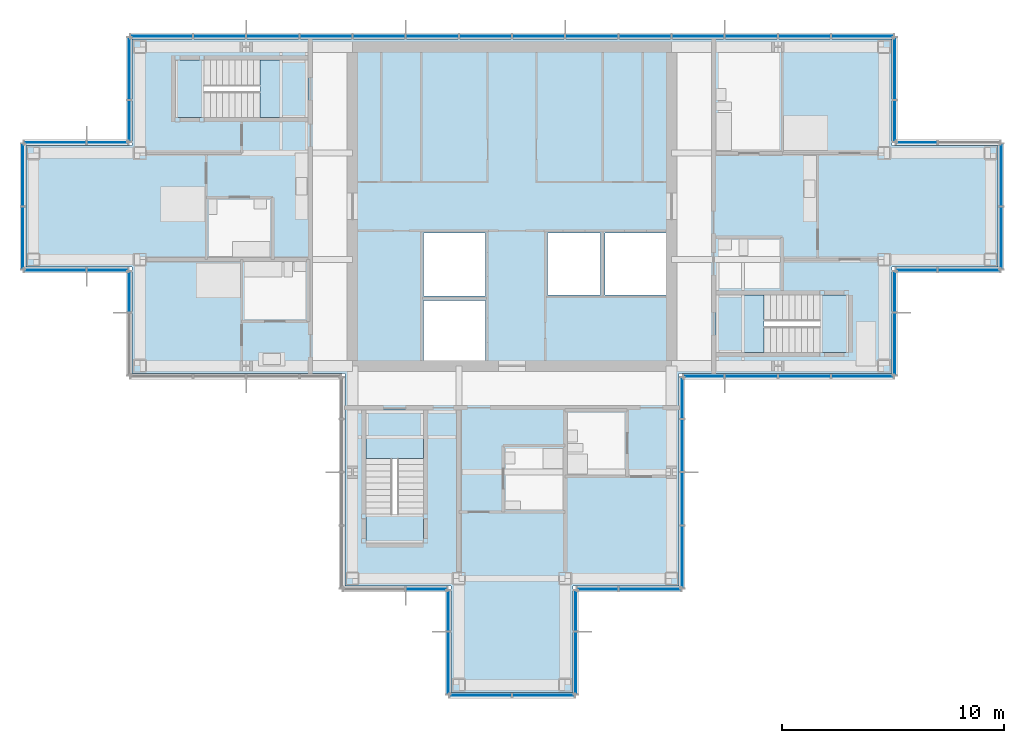
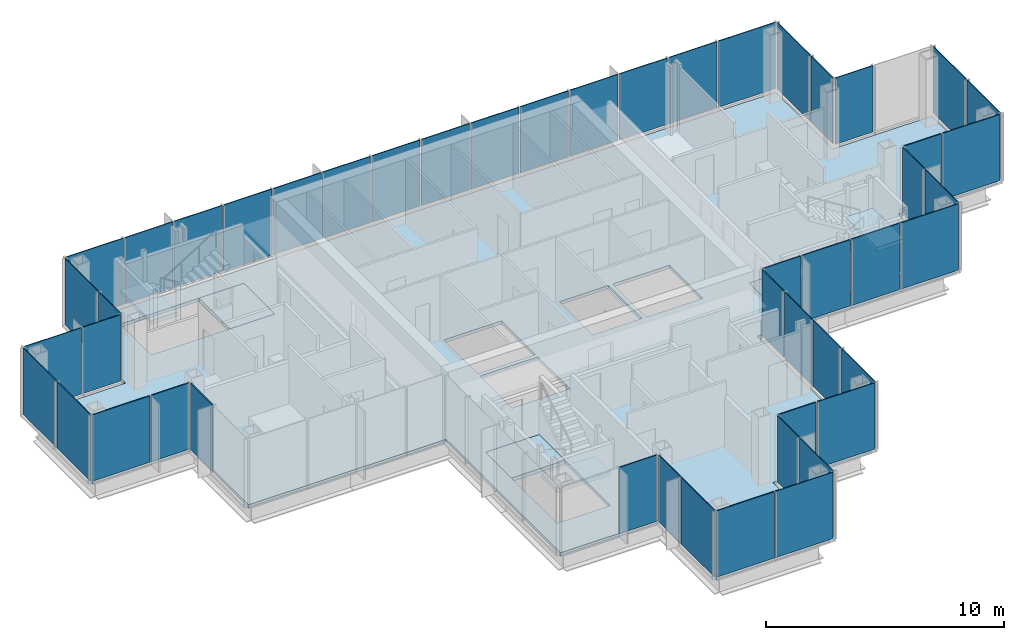
# One storey, part 9 of 15: 49 plates, 7 slabs, 21 elements without a shape of their own.
"""IFC4 building model written with IfcOpenShell, lengths in metres."""

from ifc_helpers import new_model, si_unit, direction, frame, origin, origin_2d, place, context, subcontext, project, spatial, polyline, rectangle, outline, extrude, material, layer, layer_set, type_object, element, aggregate, save


model = new_model("IFC4")

# Units and contexts
model_context = context("Model", 3, precision=1e-05, world=origin(), true_north=direction((0.0, 1.0)))
body_context = subcontext(model_context, "Body", "Model", "MODEL_VIEW")
ifc_project = project(units=[si_unit("LENGTHUNIT", "METRE"), si_unit("AREAUNIT", "SQUARE_METRE"), si_unit("VOLUMEUNIT", "CUBIC_METRE"), si_unit("PLANEANGLEUNIT", "RADIAN"), si_unit("MASSUNIT", "GRAM", prefix="KILO")], contexts=[model_context])

# Site, building, storey
site_placement = place(None, origin())
site = spatial("IfcSite", under=ifc_project, at=site_placement, CompositionType="ELEMENT")
building_placement = place(site_placement, origin())
building = spatial("IfcBuilding", under=site, at=building_placement, Name="Kvirike Care Tower", CompositionType="ELEMENT")
storey_placement = place(building_placement, frame((0.0, 0.0, 205.0)))
storey = spatial("IfcBuildingStorey", under=building, at=storey_placement, Name="L56", CompositionType="ELEMENT", Elevation=205.0)

# Slab
ifc_material_1 = material(Name="Concrete C35/45", Category="concrete")
ifc_layer_1 = layer(ifc_material_1, 0.169921875)
ifc_layer_set_1 = layer_set([ifc_layer_1], Name="FLOOR SLAB 170")
slab_type_1 = type_object("IfcSlabType", Name="FLOOR SLAB 170", PredefinedType="FLOOR", material=ifc_layer_set_1)
slab_1_placement = place(storey_placement, frame((0.0, 0.0, -0.169921875)))
element("IfcSlab", 1, at=slab_1_placement, inside=storey, type_object=slab_type_1, Name="Floor slab L56", PredefinedType="FLOOR", context=body_context, shape_type="SweptSolid", body=[
    extrude(outline(polyline([(29.14990234375, 28.449951171875), (38.75, 28.449951171875), (38.75, 33.25), (43.550048828125, 33.25), (43.550048828125, 38.75), (38.75, 38.75), (38.75, 43.550048828125), (4.449951171875, 43.550048828125), (4.449951171875, 38.75), (-0.35009765625, 38.75), (-0.35009765625, 33.25), (4.449951171875, 33.25), (4.449951171875, 28.449951171875), (14.050048828125, 28.449951171875), (14.050048828125, 18.85009765625), (18.85009765625, 18.85009765625), (18.85009765625, 14.050048828125), (24.35009765625, 14.050048828125), (24.35009765625, 18.85009765625), (29.14990234375, 18.85009765625), (29.14990234375, 28.449951171875)]), holes=[polyline([(17.60009765625, 29.050048828125), (17.60009765625, 31.75), (20.39990234375, 31.75), (20.39990234375, 29.050048828125), (17.60009765625, 29.050048828125)]), polyline([(17.60009765625, 31.949951171875), (17.60009765625, 34.800048828125), (20.39990234375, 34.800048828125), (20.39990234375, 31.949951171875), (17.60009765625, 31.949951171875)]), polyline([(23.199951171875, 32.0), (23.199951171875, 34.800048828125), (25.60009765625, 34.800048828125), (25.60009765625, 32.0), (23.199951171875, 32.0)]), polyline([(25.800048828125, 32.0), (25.800048828125, 34.800048828125), (28.550048828125, 34.800048828125), (28.550048828125, 32.0), (25.800048828125, 32.0)]), polyline([(12.39990234375, 42.60009765625), (12.39990234375, 40.0), (6.39990234375, 40.0), (6.39990234375, 42.60009765625), (12.39990234375, 42.60009765625)]), polyline([(30.800048828125, 29.39990234375), (30.800048828125, 32.0), (36.800048828125, 32.0), (36.800048828125, 29.39990234375), (30.800048828125, 29.39990234375)]), polyline([(15.0, 26.800048828125), (17.60009765625, 26.800048828125), (17.60009765625, 20.800048828125), (15.0, 20.800048828125), (15.0, 26.800048828125)])]), origin(), (0.0, 0.0, 1.0), 0.169921875),
])

# Stair, slabs
ifc_material_2 = material(Name="Concrete C35/45", Category="concrete")
stair_type = type_object("IfcStairType", Name="STAIR 20 RISERS", PredefinedType="HALF_TURN_STAIR", material=ifc_material_2)
stair_1_placement = place(storey_placement, origin())
stair_1 = element("IfcStair", 2, at=stair_1_placement, inside=storey, type_object=stair_type, Name="Stair 1 L56", PredefinedType="HALF_TURN_STAIR")
ifc_material_3 = material(Name="Concrete C35/45", Category="concrete")
ifc_layer_2 = layer(ifc_material_3, 0.199951171875)
ifc_layer_set_2 = layer_set([ifc_layer_2], Name="STAIR LANDING 200")
slab_type_2 = type_object("IfcSlabType", Name="STAIR LANDING 200", PredefinedType="LANDING", material=ifc_layer_set_2)
slab_2_placement = place(storey_placement, frame((0.0, 0.0, -0.199951171875)))
slab_2 = element("IfcSlab", 3, at=slab_2_placement, type_object=slab_type_2, Name="Stair S1 floor landing L56", PredefinedType="LANDING", context=body_context, shape_type="SweptSolid", body=[
    extrude(outline(polyline([(10.219970703125, 42.60009765625), (10.219970703125, 40.0), (12.39990234375, 40.0), (12.39990234375, 42.60009765625), (10.219970703125, 42.60009765625)])), origin(), (0.0, 0.0, 1.0), 0.199951171875),
])
slab_3_placement = place(storey_placement, frame((0.0, 0.0, 1.550048828125)))
slab_3 = element("IfcSlab", 4, at=slab_3_placement, type_object=slab_type_2, Name="Stair S1 half landing L56-L57", PredefinedType="LANDING", context=body_context, shape_type="SweptSolid", body=[
    extrude(outline(polyline([(6.39990234375, 42.60009765625), (6.39990234375, 40.0), (7.699951171875, 40.0), (7.699951171875, 42.60009765625), (6.39990234375, 42.60009765625)])), origin(), (0.0, 0.0, 1.0), 0.199951171875),
])
aggregate(stair_1, [slab_2, slab_3])

stair_2_placement = place(storey_placement, origin())
stair_2 = element("IfcStair", 5, at=stair_2_placement, inside=storey, type_object=stair_type, Name="Stair 2 L56", PredefinedType="HALF_TURN_STAIR")
slab_4_placement = place(storey_placement, frame((0.0, 0.0, -0.199951171875)))
slab_4 = element("IfcSlab", 6, at=slab_4_placement, type_object=slab_type_2, Name="Stair S2 floor landing L56", PredefinedType="LANDING", context=body_context, shape_type="SweptSolid", body=[
    extrude(outline(polyline([(32.97998046875, 29.39990234375), (32.97998046875, 32.0), (30.800048828125, 32.0), (30.800048828125, 29.39990234375), (32.97998046875, 29.39990234375)])), origin(), (0.0, 0.0, 1.0), 0.199951171875),
])
slab_5_placement = place(storey_placement, frame((0.0, 0.0, 1.550048828125)))
slab_5 = element("IfcSlab", 7, at=slab_5_placement, type_object=slab_type_2, Name="Stair S2 half landing L56-L57", PredefinedType="LANDING", context=body_context, shape_type="SweptSolid", body=[
    extrude(outline(polyline([(36.800048828125, 29.39990234375), (36.800048828125, 32.0), (35.5, 32.0), (35.5, 29.39990234375), (36.800048828125, 29.39990234375)])), origin(), (0.0, 0.0, 1.0), 0.199951171875),
])
aggregate(stair_2, [slab_4, slab_5])

stair_3_placement = place(storey_placement, origin())
stair_3 = element("IfcStair", 8, at=stair_3_placement, inside=storey, type_object=stair_type, Name="Stair 5 L56", PredefinedType="HALF_TURN_STAIR")
slab_6_placement = place(storey_placement, frame((0.0, 0.0, -0.199951171875)))
slab_6 = element("IfcSlab", 9, at=slab_6_placement, type_object=slab_type_2, Name="Stair S5 floor landing L56", PredefinedType="LANDING", context=body_context, shape_type="SweptSolid", body=[
    extrude(outline(polyline([(15.0, 24.6201171875), (17.60009765625, 24.6201171875), (17.60009765625, 26.800048828125), (15.0, 26.800048828125), (15.0, 24.6201171875)])), origin(), (0.0, 0.0, 1.0), 0.199951171875),
])
slab_7_placement = place(storey_placement, frame((0.0, 0.0, 1.550048828125)))
slab_7 = element("IfcSlab", 10, at=slab_7_placement, type_object=slab_type_2, Name="Stair S5 half landing L56-L57", PredefinedType="LANDING", context=body_context, shape_type="SweptSolid", body=[
    extrude(outline(polyline([(15.0, 20.800048828125), (17.60009765625, 20.800048828125), (17.60009765625, 22.10009765625), (15.0, 22.10009765625), (15.0, 20.800048828125)])), origin(), (0.0, 0.0, 1.0), 0.199951171875),
])
aggregate(stair_3, [slab_6, slab_7])

# Curtain wall, plates
ifc_material_4 = material(Name="Anodised aluminium stick system", Category="aluminium")
curtain_wall_type = type_object("IfcCurtainWallType", Name="CW-D STICK CURTAIN WALL", PredefinedType="NOTDEFINED", material=ifc_material_4)
curtain_wall_1_placement = place(storey_placement, origin())
curtain_wall_1 = element("IfcCurtainWall", 11, at=curtain_wall_1_placement, inside=storey, type_object=curtain_wall_type, Name="Curtain wall L56 face 1", PredefinedType="NOTDEFINED")
ifc_material_5 = material(Name="Tinted double glazed unit", Category="glass")
ifc_layer_3 = layer(ifc_material_5, 0.0439453125)
ifc_layer_set_3 = layer_set([ifc_layer_3], Name="TINTED VISION PANEL 44")
plate_type = type_object("IfcPlateType", Name="TINTED VISION PANEL 44", PredefinedType="CURTAIN_PANEL", material=ifc_layer_set_3)
plate_1_placement = place(storey_placement, frame((30.25634765625, 28.320068359375, 0.10009765625), z_axis=(0.0, 0.0, 1.0), x_axis=(1.0, 0.0, 0.0)))
plate_1 = element("IfcPlate", 12, at=plate_1_placement, type_object=plate_type, Name="CW-D panel L56 face 1.1", PredefinedType="CURTAIN_PANEL", context=body_context, shape_type="SweptSolid", body=[
    extrude(rectangle(XDim=1.822509765625, YDim=0.0439453125, at=origin_2d()), origin(), (0.0, 0.0, 1.0), 3.39990234375),
])
plate_2_placement = place(storey_placement, frame((32.39990234375, 28.320068359375, 0.10009765625), z_axis=(0.0, 0.0, 1.0), x_axis=(1.0, 0.0, 0.0)))
plate_2 = element("IfcPlate", 13, at=plate_2_placement, type_object=plate_type, Name="CW-D panel L56 face 1.2", PredefinedType="CURTAIN_PANEL", context=body_context, shape_type="SweptSolid", body=[
    extrude(rectangle(XDim=2.3349609375, YDim=0.0439453125, at=origin_2d()), origin(), (0.0, 0.0, 1.0), 3.39990234375),
])
plate_3_placement = place(storey_placement, frame((34.800048828125, 28.320068359375, 0.10009765625), z_axis=(0.0, 0.0, 1.0), x_axis=(1.0, 0.0, 0.0)))
plate_3 = element("IfcPlate", 14, at=plate_3_placement, type_object=plate_type, Name="CW-D panel L56 face 1.3", PredefinedType="CURTAIN_PANEL", context=body_context, shape_type="SweptSolid", body=[
    extrude(rectangle(XDim=2.3349609375, YDim=0.0439453125, at=origin_2d()), origin(), (0.0, 0.0, 1.0), 3.39990234375),
])
plate_4_placement = place(storey_placement, frame((37.423828125, 28.320068359375, 0.10009765625), z_axis=(0.0, 0.0, 1.0), x_axis=(1.0, 0.0, 0.0)))
plate_4 = element("IfcPlate", 15, at=plate_4_placement, type_object=plate_type, Name="CW-D panel L56 face 1.4", PredefinedType="CURTAIN_PANEL", context=body_context, shape_type="SweptSolid", body=[
    extrude(rectangle(XDim=2.782470703125, YDim=0.0439453125, at=origin_2d()), origin(), (0.0, 0.0, 1.0), 3.39990234375),
])
aggregate(curtain_wall_1, [plate_1, plate_2, plate_3, plate_4])

curtain_wall_2_placement = place(storey_placement, origin())
curtain_wall_2 = element("IfcCurtainWall", 16, at=curtain_wall_2_placement, inside=storey, type_object=curtain_wall_type, Name="Curtain wall L56 face 2", PredefinedType="NOTDEFINED")
plate_5_placement = place(storey_placement, frame((38.8798828125, 29.7763671875, 0.10009765625), z_axis=(0.0, 0.0, 1.0), x_axis=(0.0, 1.0, 0.0)))
plate_5 = element("IfcPlate", 17, at=plate_5_placement, type_object=plate_type, Name="CW-D panel L56 face 2.1", PredefinedType="CURTAIN_PANEL", context=body_context, shape_type="SweptSolid", body=[
    extrude(rectangle(XDim=2.782470703125, YDim=0.0439453125, at=origin_2d()), origin(), (0.0, 0.0, 1.0), 3.39990234375),
])
plate_6_placement = place(storey_placement, frame((38.8798828125, 32.143798828125, 0.10009765625), z_axis=(0.0, 0.0, 1.0), x_axis=(0.0, 1.0, 0.0)))
plate_6 = element("IfcPlate", 18, at=plate_6_placement, type_object=plate_type, Name="CW-D panel L56 face 2.2", PredefinedType="CURTAIN_PANEL", context=body_context, shape_type="SweptSolid", body=[
    extrude(rectangle(XDim=1.822509765625, YDim=0.0439453125, at=origin_2d()), origin(), (0.0, 0.0, 1.0), 3.39990234375),
])
aggregate(curtain_wall_2, [plate_5, plate_6])

curtain_wall_3_placement = place(storey_placement, origin())
curtain_wall_3 = element("IfcCurtainWall", 19, at=curtain_wall_3_placement, inside=storey, type_object=curtain_wall_type, Name="Curtain wall L56 face 3", PredefinedType="NOTDEFINED")
plate_7_placement = place(storey_placement, frame((39.856201171875, 33.1201171875, 0.10009765625), z_axis=(0.0, 0.0, 1.0), x_axis=(1.0, 0.0, 0.0)))
plate_7 = element("IfcPlate", 20, at=plate_7_placement, type_object=plate_type, Name="CW-D panel L56 face 3.1", PredefinedType="CURTAIN_PANEL", context=body_context, shape_type="SweptSolid", body=[
    extrude(rectangle(XDim=1.822509765625, YDim=0.0439453125, at=origin_2d()), origin(), (0.0, 0.0, 1.0), 3.39990234375),
])
plate_8_placement = place(storey_placement, frame((42.2236328125, 33.1201171875, 0.10009765625), z_axis=(0.0, 0.0, 1.0), x_axis=(1.0, 0.0, 0.0)))
plate_8 = element("IfcPlate", 21, at=plate_8_placement, type_object=plate_type, Name="CW-D panel L56 face 3.2", PredefinedType="CURTAIN_PANEL", context=body_context, shape_type="SweptSolid", body=[
    extrude(rectangle(XDim=2.782470703125, YDim=0.0439453125, at=origin_2d()), origin(), (0.0, 0.0, 1.0), 3.39990234375),
])
aggregate(curtain_wall_3, [plate_7, plate_8])

curtain_wall_4_placement = place(storey_placement, origin())
curtain_wall_4 = element("IfcCurtainWall", 22, at=curtain_wall_4_placement, inside=storey, type_object=curtain_wall_type, Name="Curtain wall L56 face 4", PredefinedType="NOTDEFINED")
plate_9_placement = place(storey_placement, frame((43.679931640625, 34.576171875, 0.10009765625), z_axis=(0.0, 0.0, 1.0), x_axis=(0.0, 1.0, 0.0)))
plate_9 = element("IfcPlate", 23, at=plate_9_placement, type_object=plate_type, Name="CW-D panel L56 face 4.1", PredefinedType="CURTAIN_PANEL", context=body_context, shape_type="SweptSolid", body=[
    extrude(rectangle(XDim=2.782470703125, YDim=0.0439453125, at=origin_2d()), origin(), (0.0, 0.0, 1.0), 3.39990234375),
])
plate_10_placement = place(storey_placement, frame((43.679931640625, 37.423828125, 0.10009765625), z_axis=(0.0, 0.0, 1.0), x_axis=(0.0, 1.0, 0.0)))
plate_10 = element("IfcPlate", 24, at=plate_10_placement, type_object=plate_type, Name="CW-D panel L56 face 4.2", PredefinedType="CURTAIN_PANEL", context=body_context, shape_type="SweptSolid", body=[
    extrude(rectangle(XDim=2.782470703125, YDim=0.0439453125, at=origin_2d()), origin(), (0.0, 0.0, 1.0), 3.39990234375),
])
aggregate(curtain_wall_4, [plate_9, plate_10])

# Curtain wall, plate
curtain_wall_5_placement = place(storey_placement, origin())
curtain_wall_5 = element("IfcCurtainWall", 25, at=curtain_wall_5_placement, inside=storey, type_object=curtain_wall_type, Name="Curtain wall L56 face 5", PredefinedType="NOTDEFINED")
plate_11_placement = place(storey_placement, frame((39.856201171875, 38.8798828125, 0.10009765625), z_axis=(0.0, 0.0, 1.0), x_axis=(-1.0, 0.0, 0.0)))
plate_11 = element("IfcPlate", 26, at=plate_11_placement, type_object=plate_type, Name="CW-D panel L56 face 5.2", PredefinedType="CURTAIN_PANEL", context=body_context, shape_type="SweptSolid", body=[
    extrude(rectangle(XDim=1.822509765625, YDim=0.0439453125, at=origin_2d()), origin(), (0.0, 0.0, 1.0), 3.39990234375),
])
aggregate(curtain_wall_5, [plate_11])

# Curtain wall, plates
curtain_wall_6_placement = place(storey_placement, origin())
curtain_wall_6 = element("IfcCurtainWall", 27, at=curtain_wall_6_placement, inside=storey, type_object=curtain_wall_type, Name="Curtain wall L56 face 6", PredefinedType="NOTDEFINED")
plate_12_placement = place(storey_placement, frame((38.8798828125, 39.856201171875, 0.10009765625), z_axis=(0.0, 0.0, 1.0), x_axis=(0.0, 1.0, 0.0)))
plate_12 = element("IfcPlate", 28, at=plate_12_placement, type_object=plate_type, Name="CW-D panel L56 face 6.1", PredefinedType="CURTAIN_PANEL", context=body_context, shape_type="SweptSolid", body=[
    extrude(rectangle(XDim=1.822509765625, YDim=0.0439453125, at=origin_2d()), origin(), (0.0, 0.0, 1.0), 3.39990234375),
])
plate_13_placement = place(storey_placement, frame((38.8798828125, 42.2236328125, 0.10009765625), z_axis=(0.0, 0.0, 1.0), x_axis=(0.0, 1.0, 0.0)))
plate_13 = element("IfcPlate", 29, at=plate_13_placement, type_object=plate_type, Name="CW-D panel L56 face 6.2", PredefinedType="CURTAIN_PANEL", context=body_context, shape_type="SweptSolid", body=[
    extrude(rectangle(XDim=2.782470703125, YDim=0.0439453125, at=origin_2d()), origin(), (0.0, 0.0, 1.0), 3.39990234375),
])
aggregate(curtain_wall_6, [plate_12, plate_13])

curtain_wall_7_placement = place(storey_placement, origin())
curtain_wall_7 = element("IfcCurtainWall", 30, at=curtain_wall_7_placement, inside=storey, type_object=curtain_wall_type, Name="Curtain wall L56 face 7", PredefinedType="NOTDEFINED")
plate_14_placement = place(storey_placement, frame((37.423828125, 43.679931640625, 0.10009765625), z_axis=(0.0, 0.0, 1.0), x_axis=(-1.0, 0.0, 0.0)))
plate_14 = element("IfcPlate", 31, at=plate_14_placement, type_object=plate_type, Name="CW-D panel L56 face 7.1", PredefinedType="CURTAIN_PANEL", context=body_context, shape_type="SweptSolid", body=[
    extrude(rectangle(XDim=2.782470703125, YDim=0.0439453125, at=origin_2d()), origin(), (0.0, 0.0, 1.0), 3.39990234375),
])
plate_15_placement = place(storey_placement, frame((34.800048828125, 43.679931640625, 0.10009765625), z_axis=(0.0, 0.0, 1.0), x_axis=(-1.0, 0.0, 0.0)))
plate_15 = element("IfcPlate", 32, at=plate_15_placement, type_object=plate_type, Name="CW-D panel L56 face 7.2", PredefinedType="CURTAIN_PANEL", context=body_context, shape_type="SweptSolid", body=[
    extrude(rectangle(XDim=2.3349609375, YDim=0.0439453125, at=origin_2d()), origin(), (0.0, 0.0, 1.0), 3.39990234375),
])
plate_16_placement = place(storey_placement, frame((32.39990234375, 43.679931640625, 0.10009765625), z_axis=(0.0, 0.0, 1.0), x_axis=(-1.0, 0.0, 0.0)))
plate_16 = element("IfcPlate", 33, at=plate_16_placement, type_object=plate_type, Name="CW-D panel L56 face 7.3", PredefinedType="CURTAIN_PANEL", context=body_context, shape_type="SweptSolid", body=[
    extrude(rectangle(XDim=2.3349609375, YDim=0.0439453125, at=origin_2d()), origin(), (0.0, 0.0, 1.0), 3.39990234375),
])
plate_17_placement = place(storey_placement, frame((30.0, 43.679931640625, 0.10009765625), z_axis=(0.0, 0.0, 1.0), x_axis=(-1.0, 0.0, 0.0)))
plate_17 = element("IfcPlate", 34, at=plate_17_placement, type_object=plate_type, Name="CW-D panel L56 face 7.4", PredefinedType="CURTAIN_PANEL", context=body_context, shape_type="SweptSolid", body=[
    extrude(rectangle(XDim=2.3349609375, YDim=0.0439453125, at=origin_2d()), origin(), (0.0, 0.0, 1.0), 3.39990234375),
])
plate_18_placement = place(storey_placement, frame((27.60009765625, 43.679931640625, 0.10009765625), z_axis=(0.0, 0.0, 1.0), x_axis=(-1.0, 0.0, 0.0)))
plate_18 = element("IfcPlate", 35, at=plate_18_placement, type_object=plate_type, Name="CW-D panel L56 face 7.5", PredefinedType="CURTAIN_PANEL", context=body_context, shape_type="SweptSolid", body=[
    extrude(rectangle(XDim=2.3349609375, YDim=0.0439453125, at=origin_2d()), origin(), (0.0, 0.0, 1.0), 3.39990234375),
])
plate_19_placement = place(storey_placement, frame((25.199951171875, 43.679931640625, 0.10009765625), z_axis=(0.0, 0.0, 1.0), x_axis=(-1.0, 0.0, 0.0)))
plate_19 = element("IfcPlate", 36, at=plate_19_placement, type_object=plate_type, Name="CW-D panel L56 face 7.6", PredefinedType="CURTAIN_PANEL", context=body_context, shape_type="SweptSolid", body=[
    extrude(rectangle(XDim=2.3349609375, YDim=0.0439453125, at=origin_2d()), origin(), (0.0, 0.0, 1.0), 3.39990234375),
])
plate_20_placement = place(storey_placement, frame((22.800048828125, 43.679931640625, 0.10009765625), z_axis=(0.0, 0.0, 1.0), x_axis=(-1.0, 0.0, 0.0)))
plate_20 = element("IfcPlate", 37, at=plate_20_placement, type_object=plate_type, Name="CW-D panel L56 face 7.7", PredefinedType="CURTAIN_PANEL", context=body_context, shape_type="SweptSolid", body=[
    extrude(rectangle(XDim=2.3349609375, YDim=0.0439453125, at=origin_2d()), origin(), (0.0, 0.0, 1.0), 3.39990234375),
])
plate_21_placement = place(storey_placement, frame((20.39990234375, 43.679931640625, 0.10009765625), z_axis=(0.0, 0.0, 1.0), x_axis=(-1.0, 0.0, 0.0)))
plate_21 = element("IfcPlate", 38, at=plate_21_placement, type_object=plate_type, Name="CW-D panel L56 face 7.8", PredefinedType="CURTAIN_PANEL", context=body_context, shape_type="SweptSolid", body=[
    extrude(rectangle(XDim=2.3349609375, YDim=0.0439453125, at=origin_2d()), origin(), (0.0, 0.0, 1.0), 3.39990234375),
])
plate_22_placement = place(storey_placement, frame((18.0, 43.679931640625, 0.10009765625), z_axis=(0.0, 0.0, 1.0), x_axis=(-1.0, 0.0, 0.0)))
plate_22 = element("IfcPlate", 39, at=plate_22_placement, type_object=plate_type, Name="CW-D panel L56 face 7.9", PredefinedType="CURTAIN_PANEL", context=body_context, shape_type="SweptSolid", body=[
    extrude(rectangle(XDim=2.3349609375, YDim=0.0439453125, at=origin_2d()), origin(), (0.0, 0.0, 1.0), 3.39990234375),
])
plate_23_placement = place(storey_placement, frame((15.60009765625, 43.679931640625, 0.10009765625), z_axis=(0.0, 0.0, 1.0), x_axis=(-1.0, 0.0, 0.0)))
plate_23 = element("IfcPlate", 40, at=plate_23_placement, type_object=plate_type, Name="CW-D panel L56 face 7.10", PredefinedType="CURTAIN_PANEL", context=body_context, shape_type="SweptSolid", body=[
    extrude(rectangle(XDim=2.3349609375, YDim=0.0439453125, at=origin_2d()), origin(), (0.0, 0.0, 1.0), 3.39990234375),
])
plate_24_placement = place(storey_placement, frame((13.199951171875, 43.679931640625, 0.10009765625), z_axis=(0.0, 0.0, 1.0), x_axis=(-1.0, 0.0, 0.0)))
plate_24 = element("IfcPlate", 41, at=plate_24_placement, type_object=plate_type, Name="CW-D panel L56 face 7.11", PredefinedType="CURTAIN_PANEL", context=body_context, shape_type="SweptSolid", body=[
    extrude(rectangle(XDim=2.3349609375, YDim=0.0439453125, at=origin_2d()), origin(), (0.0, 0.0, 1.0), 3.39990234375),
])
plate_25_placement = place(storey_placement, frame((10.800048828125, 43.679931640625, 0.10009765625), z_axis=(0.0, 0.0, 1.0), x_axis=(-1.0, 0.0, 0.0)))
plate_25 = element("IfcPlate", 42, at=plate_25_placement, type_object=plate_type, Name="CW-D panel L56 face 7.12", PredefinedType="CURTAIN_PANEL", context=body_context, shape_type="SweptSolid", body=[
    extrude(rectangle(XDim=2.3349609375, YDim=0.0439453125, at=origin_2d()), origin(), (0.0, 0.0, 1.0), 3.39990234375),
])
plate_26_placement = place(storey_placement, frame((8.39990234375, 43.679931640625, 0.10009765625), z_axis=(0.0, 0.0, 1.0), x_axis=(-1.0, 0.0, 0.0)))
plate_26 = element("IfcPlate", 43, at=plate_26_placement, type_object=plate_type, Name="CW-D panel L56 face 7.13", PredefinedType="CURTAIN_PANEL", context=body_context, shape_type="SweptSolid", body=[
    extrude(rectangle(XDim=2.3349609375, YDim=0.0439453125, at=origin_2d()), origin(), (0.0, 0.0, 1.0), 3.39990234375),
])
plate_27_placement = place(storey_placement, frame((5.7763671875, 43.679931640625, 0.10009765625), z_axis=(0.0, 0.0, 1.0), x_axis=(-1.0, 0.0, 0.0)))
plate_27 = element("IfcPlate", 44, at=plate_27_placement, type_object=plate_type, Name="CW-D panel L56 face 7.14", PredefinedType="CURTAIN_PANEL", context=body_context, shape_type="SweptSolid", body=[
    extrude(rectangle(XDim=2.782470703125, YDim=0.0439453125, at=origin_2d()), origin(), (0.0, 0.0, 1.0), 3.39990234375),
])
aggregate(curtain_wall_7, [plate_14, plate_15, plate_16, plate_17, plate_18, plate_19, plate_20, plate_21, plate_22, plate_23, plate_24, plate_25, plate_26, plate_27])

curtain_wall_8_placement = place(storey_placement, origin())
curtain_wall_8 = element("IfcCurtainWall", 45, at=curtain_wall_8_placement, inside=storey, type_object=curtain_wall_type, Name="Curtain wall L56 face 8", PredefinedType="NOTDEFINED")
plate_28_placement = place(storey_placement, frame((4.320068359375, 42.2236328125, 0.10009765625), z_axis=(0.0, 0.0, 1.0), x_axis=(0.0, -1.0, 0.0)))
plate_28 = element("IfcPlate", 46, at=plate_28_placement, type_object=plate_type, Name="CW-D panel L56 face 8.1", PredefinedType="CURTAIN_PANEL", context=body_context, shape_type="SweptSolid", body=[
    extrude(rectangle(XDim=2.782470703125, YDim=0.0439453125, at=origin_2d()), origin(), (0.0, 0.0, 1.0), 3.39990234375),
])
plate_29_placement = place(storey_placement, frame((4.320068359375, 39.856201171875, 0.10009765625), z_axis=(0.0, 0.0, 1.0), x_axis=(0.0, -1.0, 0.0)))
plate_29 = element("IfcPlate", 47, at=plate_29_placement, type_object=plate_type, Name="CW-D panel L56 face 8.2", PredefinedType="CURTAIN_PANEL", context=body_context, shape_type="SweptSolid", body=[
    extrude(rectangle(XDim=1.822509765625, YDim=0.0439453125, at=origin_2d()), origin(), (0.0, 0.0, 1.0), 3.39990234375),
])
aggregate(curtain_wall_8, [plate_28, plate_29])

curtain_wall_9_placement = place(storey_placement, origin())
curtain_wall_9 = element("IfcCurtainWall", 48, at=curtain_wall_9_placement, inside=storey, type_object=curtain_wall_type, Name="Curtain wall L56 face 9", PredefinedType="NOTDEFINED")
plate_30_placement = place(storey_placement, frame((3.34375, 38.8798828125, 0.10009765625), z_axis=(0.0, 0.0, 1.0), x_axis=(-1.0, 0.0, 0.0)))
plate_30 = element("IfcPlate", 49, at=plate_30_placement, type_object=plate_type, Name="CW-D panel L56 face 9.1", PredefinedType="CURTAIN_PANEL", context=body_context, shape_type="SweptSolid", body=[
    extrude(rectangle(XDim=1.822509765625, YDim=0.0439453125, at=origin_2d()), origin(), (0.0, 0.0, 1.0), 3.39990234375),
])
plate_31_placement = place(storey_placement, frame((0.976318359375, 38.8798828125, 0.10009765625), z_axis=(0.0, 0.0, 1.0), x_axis=(-1.0, 0.0, 0.0)))
plate_31 = element("IfcPlate", 50, at=plate_31_placement, type_object=plate_type, Name="CW-D panel L56 face 9.2", PredefinedType="CURTAIN_PANEL", context=body_context, shape_type="SweptSolid", body=[
    extrude(rectangle(XDim=2.782470703125, YDim=0.0439453125, at=origin_2d()), origin(), (0.0, 0.0, 1.0), 3.39990234375),
])
aggregate(curtain_wall_9, [plate_30, plate_31])

curtain_wall_10_placement = place(storey_placement, origin())
curtain_wall_10 = element("IfcCurtainWall", 51, at=curtain_wall_10_placement, inside=storey, type_object=curtain_wall_type, Name="Curtain wall L56 face 10", PredefinedType="NOTDEFINED")
plate_32_placement = place(storey_placement, frame((-0.47998046875, 37.423828125, 0.10009765625), z_axis=(0.0, 0.0, 1.0), x_axis=(0.0, -1.0, 0.0)))
plate_32 = element("IfcPlate", 52, at=plate_32_placement, type_object=plate_type, Name="CW-D panel L56 face 10.1", PredefinedType="CURTAIN_PANEL", context=body_context, shape_type="SweptSolid", body=[
    extrude(rectangle(XDim=2.782470703125, YDim=0.0439453125, at=origin_2d()), origin(), (0.0, 0.0, 1.0), 3.39990234375),
])
plate_33_placement = place(storey_placement, frame((-0.47998046875, 34.576171875, 0.10009765625), z_axis=(0.0, 0.0, 1.0), x_axis=(0.0, -1.0, 0.0)))
plate_33 = element("IfcPlate", 53, at=plate_33_placement, type_object=plate_type, Name="CW-D panel L56 face 10.2", PredefinedType="CURTAIN_PANEL", context=body_context, shape_type="SweptSolid", body=[
    extrude(rectangle(XDim=2.782470703125, YDim=0.0439453125, at=origin_2d()), origin(), (0.0, 0.0, 1.0), 3.39990234375),
])
aggregate(curtain_wall_10, [plate_32, plate_33])

curtain_wall_11_placement = place(storey_placement, origin())
curtain_wall_11 = element("IfcCurtainWall", 54, at=curtain_wall_11_placement, inside=storey, type_object=curtain_wall_type, Name="Curtain wall L56 face 11", PredefinedType="NOTDEFINED")
plate_34_placement = place(storey_placement, frame((0.976318359375, 33.1201171875, 0.10009765625), z_axis=(0.0, 0.0, 1.0), x_axis=(1.0, 0.0, 0.0)))
plate_34 = element("IfcPlate", 55, at=plate_34_placement, type_object=plate_type, Name="CW-D panel L56 face 11.1", PredefinedType="CURTAIN_PANEL", context=body_context, shape_type="SweptSolid", body=[
    extrude(rectangle(XDim=2.782470703125, YDim=0.0439453125, at=origin_2d()), origin(), (0.0, 0.0, 1.0), 3.39990234375),
])
plate_35_placement = place(storey_placement, frame((3.34375, 33.1201171875, 0.10009765625), z_axis=(0.0, 0.0, 1.0), x_axis=(1.0, 0.0, 0.0)))
plate_35 = element("IfcPlate", 56, at=plate_35_placement, type_object=plate_type, Name="CW-D panel L56 face 11.2", PredefinedType="CURTAIN_PANEL", context=body_context, shape_type="SweptSolid", body=[
    extrude(rectangle(XDim=1.822509765625, YDim=0.0439453125, at=origin_2d()), origin(), (0.0, 0.0, 1.0), 3.39990234375),
])
aggregate(curtain_wall_11, [plate_34, plate_35])

# Curtain wall, plate
curtain_wall_12_placement = place(storey_placement, origin())
curtain_wall_12 = element("IfcCurtainWall", 57, at=curtain_wall_12_placement, inside=storey, type_object=curtain_wall_type, Name="Curtain wall L56 face 12", PredefinedType="NOTDEFINED")
plate_36_placement = place(storey_placement, frame((4.320068359375, 32.143798828125, 0.10009765625), z_axis=(0.0, 0.0, 1.0), x_axis=(0.0, -1.0, 0.0)))
plate_36 = element("IfcPlate", 58, at=plate_36_placement, type_object=plate_type, Name="CW-D panel L56 face 12.1", PredefinedType="CURTAIN_PANEL", context=body_context, shape_type="SweptSolid", body=[
    extrude(rectangle(XDim=1.822509765625, YDim=0.0439453125, at=origin_2d()), origin(), (0.0, 0.0, 1.0), 3.39990234375),
])
aggregate(curtain_wall_12, [plate_36])

curtain_wall_13_placement = place(storey_placement, origin())
curtain_wall_13 = element("IfcCurtainWall", 59, at=curtain_wall_13_placement, inside=storey, type_object=curtain_wall_type, Name="Curtain wall L56 face 15", PredefinedType="NOTDEFINED")
plate_37_placement = place(storey_placement, frame((17.74365234375, 18.719970703125, 0.10009765625), z_axis=(0.0, 0.0, 1.0), x_axis=(1.0, 0.0, 0.0)))
plate_37 = element("IfcPlate", 60, at=plate_37_placement, type_object=plate_type, Name="CW-D panel L56 face 15.2", PredefinedType="CURTAIN_PANEL", context=body_context, shape_type="SweptSolid", body=[
    extrude(rectangle(XDim=1.822509765625, YDim=0.0439453125, at=origin_2d()), origin(), (0.0, 0.0, 1.0), 3.39990234375),
])
aggregate(curtain_wall_13, [plate_37])

# Curtain wall, plates
curtain_wall_14_placement = place(storey_placement, origin())
curtain_wall_14 = element("IfcCurtainWall", 61, at=curtain_wall_14_placement, inside=storey, type_object=curtain_wall_type, Name="Curtain wall L56 face 16", PredefinedType="NOTDEFINED")
plate_38_placement = place(storey_placement, frame((18.719970703125, 17.74365234375, 0.10009765625), z_axis=(0.0, 0.0, 1.0), x_axis=(0.0, -1.0, 0.0)))
plate_38 = element("IfcPlate", 62, at=plate_38_placement, type_object=plate_type, Name="CW-D panel L56 face 16.1", PredefinedType="CURTAIN_PANEL", context=body_context, shape_type="SweptSolid", body=[
    extrude(rectangle(XDim=1.822509765625, YDim=0.0439453125, at=origin_2d()), origin(), (0.0, 0.0, 1.0), 3.39990234375),
])
plate_39_placement = place(storey_placement, frame((18.719970703125, 15.376220703125, 0.10009765625), z_axis=(0.0, 0.0, 1.0), x_axis=(0.0, -1.0, 0.0)))
plate_39 = element("IfcPlate", 63, at=plate_39_placement, type_object=plate_type, Name="CW-D panel L56 face 16.2", PredefinedType="CURTAIN_PANEL", context=body_context, shape_type="SweptSolid", body=[
    extrude(rectangle(XDim=2.782470703125, YDim=0.0439453125, at=origin_2d()), origin(), (0.0, 0.0, 1.0), 3.39990234375),
])
aggregate(curtain_wall_14, [plate_38, plate_39])

curtain_wall_15_placement = place(storey_placement, origin())
curtain_wall_15 = element("IfcCurtainWall", 64, at=curtain_wall_15_placement, inside=storey, type_object=curtain_wall_type, Name="Curtain wall L56 face 17", PredefinedType="NOTDEFINED")
plate_40_placement = place(storey_placement, frame((20.17626953125, 13.919921875, 0.10009765625), z_axis=(0.0, 0.0, 1.0), x_axis=(1.0, 0.0, 0.0)))
plate_40 = element("IfcPlate", 65, at=plate_40_placement, type_object=plate_type, Name="CW-D panel L56 face 17.1", PredefinedType="CURTAIN_PANEL", context=body_context, shape_type="SweptSolid", body=[
    extrude(rectangle(XDim=2.782470703125, YDim=0.0439453125, at=origin_2d()), origin(), (0.0, 0.0, 1.0), 3.39990234375),
])
plate_41_placement = place(storey_placement, frame((23.023681640625, 13.919921875, 0.10009765625), z_axis=(0.0, 0.0, 1.0), x_axis=(1.0, 0.0, 0.0)))
plate_41 = element("IfcPlate", 66, at=plate_41_placement, type_object=plate_type, Name="CW-D panel L56 face 17.2", PredefinedType="CURTAIN_PANEL", context=body_context, shape_type="SweptSolid", body=[
    extrude(rectangle(XDim=2.782470703125, YDim=0.0439453125, at=origin_2d()), origin(), (0.0, 0.0, 1.0), 3.39990234375),
])
aggregate(curtain_wall_15, [plate_40, plate_41])

curtain_wall_16_placement = place(storey_placement, origin())
curtain_wall_16 = element("IfcCurtainWall", 67, at=curtain_wall_16_placement, inside=storey, type_object=curtain_wall_type, Name="Curtain wall L56 face 18", PredefinedType="NOTDEFINED")
plate_42_placement = place(storey_placement, frame((24.47998046875, 15.376220703125, 0.10009765625), z_axis=(0.0, 0.0, 1.0), x_axis=(0.0, 1.0, 0.0)))
plate_42 = element("IfcPlate", 68, at=plate_42_placement, type_object=plate_type, Name="CW-D panel L56 face 18.1", PredefinedType="CURTAIN_PANEL", context=body_context, shape_type="SweptSolid", body=[
    extrude(rectangle(XDim=2.782470703125, YDim=0.0439453125, at=origin_2d()), origin(), (0.0, 0.0, 1.0), 3.39990234375),
])
plate_43_placement = place(storey_placement, frame((24.47998046875, 17.74365234375, 0.10009765625), z_axis=(0.0, 0.0, 1.0), x_axis=(0.0, 1.0, 0.0)))
plate_43 = element("IfcPlate", 69, at=plate_43_placement, type_object=plate_type, Name="CW-D panel L56 face 18.2", PredefinedType="CURTAIN_PANEL", context=body_context, shape_type="SweptSolid", body=[
    extrude(rectangle(XDim=1.822509765625, YDim=0.0439453125, at=origin_2d()), origin(), (0.0, 0.0, 1.0), 3.39990234375),
])
aggregate(curtain_wall_16, [plate_42, plate_43])

curtain_wall_17_placement = place(storey_placement, origin())
curtain_wall_17 = element("IfcCurtainWall", 70, at=curtain_wall_17_placement, inside=storey, type_object=curtain_wall_type, Name="Curtain wall L56 face 19", PredefinedType="NOTDEFINED")
plate_44_placement = place(storey_placement, frame((25.456298828125, 18.719970703125, 0.10009765625), z_axis=(0.0, 0.0, 1.0), x_axis=(1.0, 0.0, 0.0)))
plate_44 = element("IfcPlate", 71, at=plate_44_placement, type_object=plate_type, Name="CW-D panel L56 face 19.1", PredefinedType="CURTAIN_PANEL", context=body_context, shape_type="SweptSolid", body=[
    extrude(rectangle(XDim=1.822509765625, YDim=0.0439453125, at=origin_2d()), origin(), (0.0, 0.0, 1.0), 3.39990234375),
])
plate_45_placement = place(storey_placement, frame((27.82373046875, 18.719970703125, 0.10009765625), z_axis=(0.0, 0.0, 1.0), x_axis=(1.0, 0.0, 0.0)))
plate_45 = element("IfcPlate", 72, at=plate_45_placement, type_object=plate_type, Name="CW-D panel L56 face 19.2", PredefinedType="CURTAIN_PANEL", context=body_context, shape_type="SweptSolid", body=[
    extrude(rectangle(XDim=2.782470703125, YDim=0.0439453125, at=origin_2d()), origin(), (0.0, 0.0, 1.0), 3.39990234375),
])
aggregate(curtain_wall_17, [plate_44, plate_45])

curtain_wall_18_placement = place(storey_placement, origin())
curtain_wall_18 = element("IfcCurtainWall", 73, at=curtain_wall_18_placement, inside=storey, type_object=curtain_wall_type, Name="Curtain wall L56 face 20", PredefinedType="NOTDEFINED")
plate_46_placement = place(storey_placement, frame((29.280029296875, 20.17626953125, 0.10009765625), z_axis=(0.0, 0.0, 1.0), x_axis=(0.0, 1.0, 0.0)))
plate_46 = element("IfcPlate", 74, at=plate_46_placement, type_object=plate_type, Name="CW-D panel L56 face 20.1", PredefinedType="CURTAIN_PANEL", context=body_context, shape_type="SweptSolid", body=[
    extrude(rectangle(XDim=2.782470703125, YDim=0.0439453125, at=origin_2d()), origin(), (0.0, 0.0, 1.0), 3.39990234375),
])
plate_47_placement = place(storey_placement, frame((29.280029296875, 22.800048828125, 0.10009765625), z_axis=(0.0, 0.0, 1.0), x_axis=(0.0, 1.0, 0.0)))
plate_47 = element("IfcPlate", 75, at=plate_47_placement, type_object=plate_type, Name="CW-D panel L56 face 20.2", PredefinedType="CURTAIN_PANEL", context=body_context, shape_type="SweptSolid", body=[
    extrude(rectangle(XDim=2.3349609375, YDim=0.0439453125, at=origin_2d()), origin(), (0.0, 0.0, 1.0), 3.39990234375),
])
plate_48_placement = place(storey_placement, frame((29.280029296875, 25.199951171875, 0.10009765625), z_axis=(0.0, 0.0, 1.0), x_axis=(0.0, 1.0, 0.0)))
plate_48 = element("IfcPlate", 76, at=plate_48_placement, type_object=plate_type, Name="CW-D panel L56 face 20.3", PredefinedType="CURTAIN_PANEL", context=body_context, shape_type="SweptSolid", body=[
    extrude(rectangle(XDim=2.3349609375, YDim=0.0439453125, at=origin_2d()), origin(), (0.0, 0.0, 1.0), 3.39990234375),
])
plate_49_placement = place(storey_placement, frame((29.280029296875, 27.34375, 0.10009765625), z_axis=(0.0, 0.0, 1.0), x_axis=(0.0, 1.0, 0.0)))
plate_49 = element("IfcPlate", 77, at=plate_49_placement, type_object=plate_type, Name="CW-D panel L56 face 20.4", PredefinedType="CURTAIN_PANEL", context=body_context, shape_type="SweptSolid", body=[
    extrude(rectangle(XDim=1.822509765625, YDim=0.0439453125, at=origin_2d()), origin(), (0.0, 0.0, 1.0), 3.39990234375),
])
aggregate(curtain_wall_18, [plate_46, plate_47, plate_48, plate_49])

save(model, "model.ifc")
